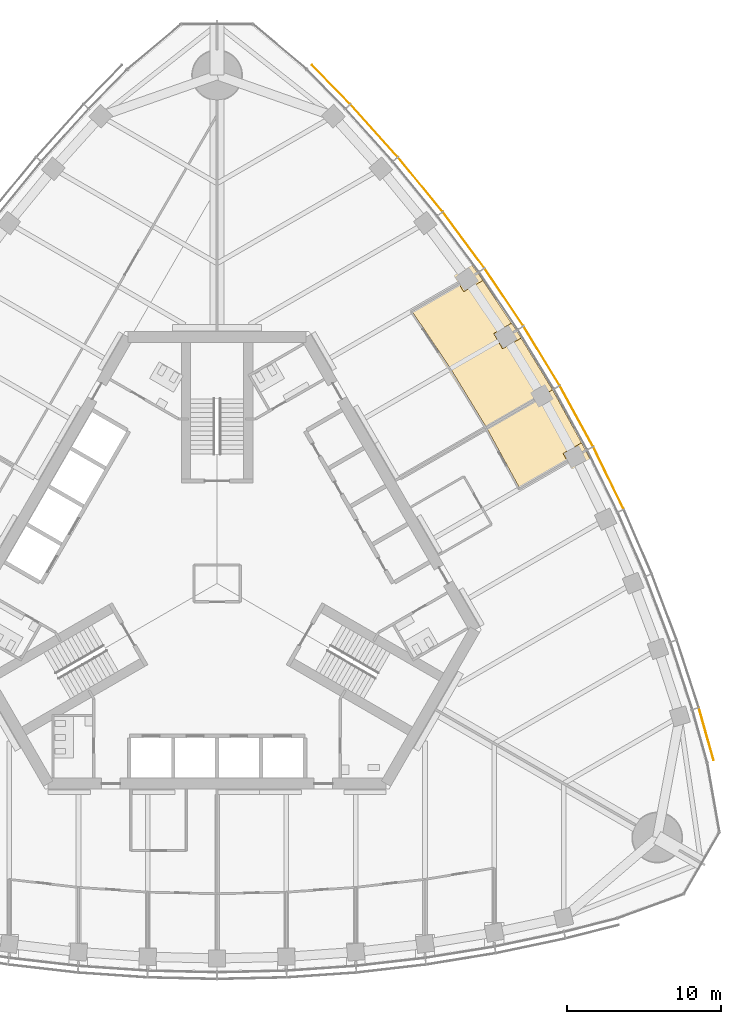
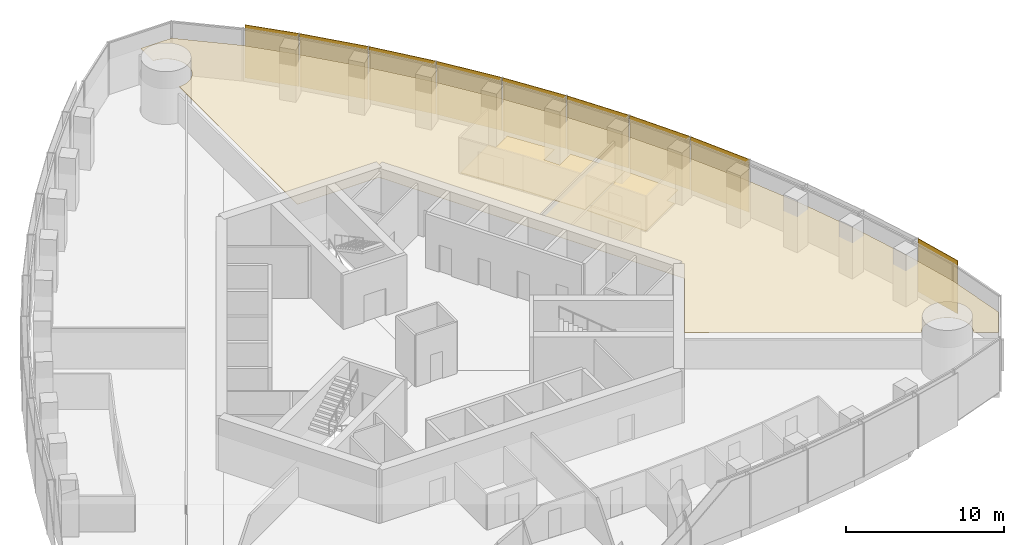
# One storey, part 17 of 19: 9 shading devices, 3 coverings.
"""IFC4 building model written with IfcOpenShell, lengths in metres."""

from ifc_helpers import new_model, si_unit, direction, frame, origin, origin_2d, place, context, subcontext, project, spatial, polyline, rectangle, outline, extrude, material, layer, layer_set, type_object, element, save


model = new_model("IFC4")

# Units and contexts
model_context = context("Model", 3, precision=1e-05, world=origin(), true_north=direction((0.0, 1.0)))
body_context = subcontext(model_context, "Body", "Model", "MODEL_VIEW")
ifc_project = project(units=[si_unit("LENGTHUNIT", "METRE"), si_unit("AREAUNIT", "SQUARE_METRE"), si_unit("VOLUMEUNIT", "CUBIC_METRE"), si_unit("PLANEANGLEUNIT", "RADIAN"), si_unit("MASSUNIT", "GRAM", prefix="KILO")], contexts=[model_context])

# Site, building, storey
site_placement = place(None, origin())
site = spatial("IfcSite", under=ifc_project, at=site_placement, CompositionType="ELEMENT")
building_placement = place(site_placement, origin())
building = spatial("IfcBuilding", under=site, at=building_placement, Name="Trefoil Bronze Tower", CompositionType="ELEMENT")
storey_placement = place(building_placement, frame((0.0, 0.0, 223.300048828125)))
storey = spatial("IfcBuildingStorey", under=building, at=storey_placement, Name="L51", CompositionType="ELEMENT", Elevation=223.300048828125)

# Shading devices
ifc_material_1 = material(Name="Perforated bronze sheet", Category="bronze")
ifc_layer_1 = layer(ifc_material_1, 0.0400390625)
ifc_layer_set_1 = layer_set([ifc_layer_1], Name="Bronze solar screen panel")
shading_device_type = type_object("IfcShadingDeviceType", Name="Bronze solar screen panel", PredefinedType="SHUTTER", material=ifc_layer_set_1)
shading_device_1_placement = place(storey_placement, frame((31.764892578125, -9.7890625, 0.0498046875), z_axis=(0.0, 0.0, 1.0), x_axis=(-0.270282222968, 0.962781138134, 0.0)))
element("IfcShadingDevice", 1, at=shading_device_1_placement, inside=storey, type_object=shading_device_type, Name="Solar screen CW-A L51 F2 bay 1", PredefinedType="SHUTTER", context=body_context, shape_type="SweptSolid", body=[
    extrude(rectangle(XDim=3.53369140625, YDim=0.0400390625, at=origin_2d()), origin(), (0.0, 0.0, 1.0), 4.10009765625),
])
shading_device_2_placement = place(storey_placement, frame((25.4169921875, 6.83740234375, 0.0498046875), z_axis=(0.0, 0.0, 1.0), x_axis=(-0.439129033334, 0.898424004623, 0.0)))
element("IfcShadingDevice", 2, at=shading_device_2_placement, inside=storey, type_object=shading_device_type, Name="Solar screen CW-A L51 F2 bay 5", PredefinedType="SHUTTER", context=body_context, shape_type="SweptSolid", body=[
    extrude(rectangle(XDim=4.480712890625, YDim=0.0400390625, at=origin_2d()), origin(), (0.0, 0.0, 1.0), 4.10009765625),
])
for number, where, z_axis, x_axis, name in (
    (3, (23.3349609375, 10.860107421875, 0.0498046875), (0.0, 0.0, 1.0), (-0.479974003504, 0.877282711536, 0.0), "Solar screen CW-A L51 F2 bay 6"),
    (4, (21.07275390625, 14.77880859375, 0.0498046875), (0.0, 0.0, 1.0), (-0.519762112739, 0.854311035959, 0.0), "Solar screen CW-A L51 F2 bay 7"),
):
    element("IfcShadingDevice", number, at=place(storey_placement, frame(where, z_axis=z_axis, x_axis=x_axis)), inside=storey, type_object=shading_device_type, Name=name, PredefinedType="SHUTTER", context=body_context, shape_type="SweptSolid", body=[
        extrude(rectangle(XDim=4.47119140625, YDim=0.0400390625, at=origin_2d()), origin(), (0.0, 0.0, 1.0), 4.10009765625),
    ])
shading_device_3_placement = place(storey_placement, frame((18.6298828125, 18.59326171875, 0.0498046875), z_axis=(0.0, 0.0, 1.0), x_axis=(-0.558493494706, 0.829508900718, 0.0)))
element("IfcShadingDevice", 5, at=shading_device_3_placement, inside=storey, type_object=shading_device_type, Name="Solar screen CW-A L51 F2 bay 8", PredefinedType="SHUTTER", context=body_context, shape_type="SweptSolid", body=[
    extrude(rectangle(XDim=4.480712890625, YDim=0.0400390625, at=origin_2d()), origin(), (0.0, 0.0, 1.0), 4.10009765625),
])
shading_device_4_placement = place(storey_placement, frame((16.005615234375, 22.302734375, 0.0498046875), z_axis=(0.0, 0.0, 1.0), x_axis=(-0.596161525977, 0.802864518425, 0.0)))
element("IfcShadingDevice", 6, at=shading_device_4_placement, inside=storey, type_object=shading_device_type, Name="Solar screen CW-A L51 F2 bay 9", PredefinedType="SHUTTER", context=body_context, shape_type="SweptSolid", body=[
    extrude(rectangle(XDim=4.5, YDim=0.0400390625, at=origin_2d()), origin(), (0.0, 0.0, 1.0), 4.10009765625),
])
shading_device_5_placement = place(storey_placement, frame((13.197509765625, 25.90625, 0.0498046875), z_axis=(0.0, 0.0, 1.0), x_axis=(-0.63275261301, 0.774354008661, 0.0)))
element("IfcShadingDevice", 7, at=shading_device_5_placement, inside=storey, type_object=shading_device_type, Name="Solar screen CW-A L51 F2 bay 10", PredefinedType="SHUTTER", context=body_context, shape_type="SweptSolid", body=[
    extrude(rectangle(XDim=4.529296875, YDim=0.0400390625, at=origin_2d()), origin(), (0.0, 0.0, 1.0), 4.10009765625),
])
shading_device_6_placement = place(storey_placement, frame((10.20166015625, 29.401611328125, 0.0498046875), z_axis=(0.0, 0.0, 1.0), x_axis=(-0.668245744076, 0.743940606181, 0.0)))
element("IfcShadingDevice", 8, at=shading_device_6_placement, inside=storey, type_object=shading_device_type, Name="Solar screen CW-A L51 F2 bay 11", PredefinedType="SHUTTER", context=body_context, shape_type="SweptSolid", body=[
    extrude(rectangle(XDim=4.5693359375, YDim=0.0400390625, at=origin_2d()), origin(), (0.0, 0.0, 1.0), 4.10009765625),
])
shading_device_7_placement = place(storey_placement, frame((7.40478515625, 32.40380859375, 0.0498046875), z_axis=(0.0, 0.0, 1.0), x_axis=(-0.698651812425, 0.715461840349, 0.0)))
element("IfcShadingDevice", 9, at=shading_device_7_placement, inside=storey, type_object=shading_device_type, Name="Solar screen CW-A L51 F2 bay 12", PredefinedType="SHUTTER", context=body_context, shape_type="SweptSolid", body=[
    extrude(rectangle(XDim=3.53369140625, YDim=0.0400390625, at=origin_2d()), origin(), (0.0, 0.0, 1.0), 4.10009765625),
])

# Coverings
ifc_material_2 = material(Name="Acoustic ceiling panels", Category="mineral fibre")
ifc_layer_2 = layer(ifc_material_2, 0.02001953125)
ifc_layer_set_2 = layer_set([ifc_layer_2], Name="Office ceiling 20")
covering_type_1 = type_object("IfcCoveringType", Name="Office ceiling 20", PredefinedType="CEILING", material=ifc_layer_set_2)
covering_1_placement = place(storey_placement, frame((0.0, 0.0, 2.89990234375)))
element("IfcCovering", 10, at=covering_1_placement, inside=storey, type_object=covering_type_1, Name="Ceiling L51 Open-plan office F2", PredefinedType="CEILING", context=body_context, shape_type="SweptSolid", body=[
    extrude(outline(polyline([(8.26318359375, 30.751708984375), (11.3369140625, 27.329833984375), (14.2216796875, 23.79931640625), (16.92236328125, 20.162353515625), (19.44140625, 16.420654296875), (21.781005859375, 12.5751953125), (23.94140625, 8.62646484375), (25.92236328125, 4.573974609375), (27.7216796875, 0.416748046875), (29.3369140625, -3.846923828125), (30.76318359375, -8.219482421875), (31.7265625, -11.650634765625), (32.518310546875, -16.1416015625), (31.385009765625, -18.1044921875), (30.013916015625, -17.3134765625), (30.033935546875, -17.27783203125), (30.0703125, -17.20556640625), (30.103271484375, -17.13134765625), (30.13232421875, -17.055908203125), (30.15771484375, -16.97900390625), (30.179443359375, -16.90087890625), (30.197021484375, -16.822021484375), (30.2109375, -16.7421875), (30.220947265625, -16.66162109375), (30.226806640625, -16.5810546875), (30.228759765625, -16.5), (30.226806640625, -16.4189453125), (30.220947265625, -16.33837890625), (30.2109375, -16.2578125), (30.197021484375, -16.177978515625), (30.179443359375, -16.09912109375), (30.15771484375, -16.02099609375), (30.13232421875, -15.944091796875), (30.103271484375, -15.86865234375), (30.0703125, -15.79443359375), (30.033935546875, -15.72216796875), (29.994140625, -15.651611328125), (29.95068359375, -15.583251953125), (29.904052734375, -15.51708984375), (29.854248046875, -15.453369140625), (29.801513671875, -15.391845703125), (29.74560546875, -15.333251953125), (29.68701171875, -15.27734375), (29.62548828125, -15.224609375), (29.561767578125, -15.1748046875), (29.49560546875, -15.128173828125), (29.427001953125, -15.084716796875), (29.356689453125, -15.044921875), (29.2841796875, -15.00830078125), (29.210205078125, -14.9755859375), (29.134765625, -14.946533203125), (29.057861328125, -14.9208984375), (28.979736328125, -14.8994140625), (28.900634765625, -14.881591796875), (28.82080078125, -14.867919921875), (28.740478515625, -14.85791015625), (28.659912109375, -14.85205078125), (28.578857421875, -14.85009765625), (28.497802734375, -14.85205078125), (28.4169921875, -14.85791015625), (28.336669921875, -14.867919921875), (28.2568359375, -14.881591796875), (28.177978515625, -14.8994140625), (28.099853515625, -14.9208984375), (28.02294921875, -14.946533203125), (27.947509765625, -14.9755859375), (27.873291015625, -15.00830078125), (27.801025390625, -15.044921875), (27.730712890625, -15.084716796875), (27.662109375, -15.128173828125), (27.595947265625, -15.1748046875), (27.531982421875, -15.224609375), (27.470703125, -15.27734375), (27.412109375, -15.333251953125), (27.356201171875, -15.391845703125), (27.303466796875, -15.453369140625), (27.25341796875, -15.51708984375), (27.206787109375, -15.583251953125), (27.156005859375, -15.6650390625), (14.16259765625, -8.169677734375), (17.147216796875, -3.0), (5.9755859375, 16.35009765625), (0.006103515625, 16.35009765625), (0.01171875, 31.350341796875), (0.0810546875, 31.35205078125), (0.16162109375, 31.35791015625), (0.2421875, 31.367919921875), (0.322021484375, 31.381591796875), (0.40087890625, 31.3994140625), (0.47900390625, 31.4208984375), (0.555908203125, 31.446533203125), (0.63134765625, 31.4755859375), (0.70556640625, 31.50830078125), (0.77783203125, 31.544921875), (0.848388671875, 31.584716796875), (0.916748046875, 31.628173828125), (0.98291015625, 31.6748046875), (1.046630859375, 31.724609375), (1.108154296875, 31.77734375), (1.166748046875, 31.833251953125), (1.22265625, 31.891845703125), (1.275390625, 31.953369140625), (1.3251953125, 32.01708984375), (1.371826171875, 32.083251953125), (1.415283203125, 32.151611328125), (1.455078125, 32.22216796875), (1.49169921875, 32.29443359375), (1.5244140625, 32.36865234375), (1.553466796875, 32.444091796875), (1.5791015625, 32.52099609375), (1.6005859375, 32.59912109375), (1.618408203125, 32.677978515625), (1.632080078125, 32.7578125), (1.64208984375, 32.83837890625), (1.64794921875, 32.9189453125), (1.64990234375, 33.0), (1.64794921875, 33.0810546875), (1.64208984375, 33.16162109375), (1.632080078125, 33.2421875), (1.618408203125, 33.322021484375), (1.6005859375, 33.40087890625), (1.5791015625, 33.47900390625), (1.553466796875, 33.555908203125), (1.5244140625, 33.63134765625), (1.49169921875, 33.70556640625), (1.455078125, 33.77783203125), (1.415283203125, 33.848388671875), (1.371826171875, 33.916748046875), (1.3251953125, 33.98291015625), (1.275390625, 34.046630859375), (1.22265625, 34.108154296875), (1.166748046875, 34.166748046875), (1.108154296875, 34.22265625), (1.046630859375, 34.275390625), (0.98291015625, 34.3251953125), (0.916748046875, 34.371826171875), (0.848388671875, 34.415283203125), (0.77783203125, 34.455078125), (0.70556640625, 34.49169921875), (0.63134765625, 34.5244140625), (0.555908203125, 34.553466796875), (0.47900390625, 34.5791015625), (0.40087890625, 34.6005859375), (0.322021484375, 34.618408203125), (0.2421875, 34.632080078125), (0.16162109375, 34.64208984375), (0.0810546875, 34.64794921875), (0.012939453125, 34.649658203125), (0.013671875, 36.232666015625), (2.280029296875, 36.232666015625), (5.7734375, 33.30126953125), (8.26318359375, 30.751708984375)])), origin(), (0.0, 0.0, 1.0), 0.02001953125),
])
ifc_material_3 = material(Name="Raised access floor panels", Category="steel")
ifc_layer_3 = layer(ifc_material_3, 0.050048828125)
ifc_layer_set_3 = layer_set([ifc_layer_3], Name="Raised access floor 150")
covering_type_2 = type_object("IfcCoveringType", Name="Raised access floor 150", PredefinedType="FLOORING", material=ifc_layer_set_3)
covering_2_placement = place(storey_placement, frame((0.0, 0.0, 0.099853515625)))
element("IfcCovering", 11, at=covering_2_placement, inside=storey, type_object=covering_type_2, Name="Raised floor L51 Kitchen and breakout F2", PredefinedType="FLOORING", context=body_context, shape_type="SweptSolid", body=[
    extrude(outline(polyline([(19.119140625, 16.8994140625), (17.96142578125, 16.23095703125), (18.537353515625, 15.23388671875), (19.740966796875, 15.9287109375), (21.781005859375, 12.5751953125), (20.5859375, 11.88525390625), (20.548583984375, 11.9501953125), (17.4638671875, 10.16943359375), (15.16259765625, 13.951904296875), (15.111328125, 13.920654296875), (15.1611328125, 13.9541015625), (12.677978515625, 17.642578125), (15.737548828125, 19.4091796875), (16.007080078125, 18.94189453125), (17.2578125, 19.6640625), (19.119140625, 16.8994140625)])), origin(), (0.0, 0.0, 1.0), 0.050048828125),
])
covering_3_placement = place(storey_placement, frame((0.0, 0.0, 0.099853515625)))
element("IfcCovering", 12, at=covering_3_placement, inside=storey, type_object=covering_type_2, Name="Raised floor L51 Meeting room F2", PredefinedType="FLOORING", context=body_context, shape_type="SweptSolid", body=[
    extrude(outline(polyline([(22.7451171875, 7.935791015625), (22.715087890625, 7.98779296875), (19.634521484375, 6.209228515625), (17.538818359375, 10.03955078125), (20.62353515625, 11.8203125), (20.5859375, 11.88525390625), (21.781005859375, 12.5751953125), (23.6650390625, 9.131591796875), (22.46142578125, 8.436767578125), (22.74951171875, 7.938232421875), (22.7451171875, 7.935791015625)])), origin(), (0.0, 0.0, 1.0), 0.050048828125),
])

save(model, "model.ifc")
